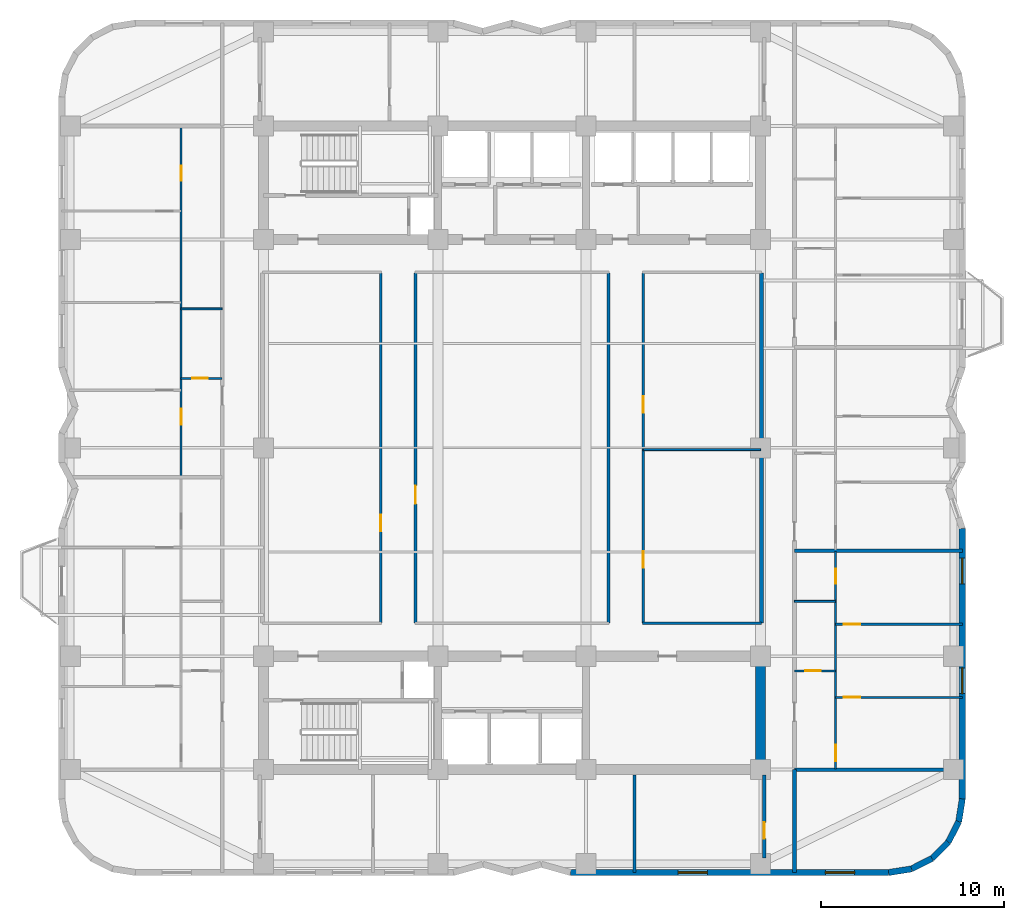
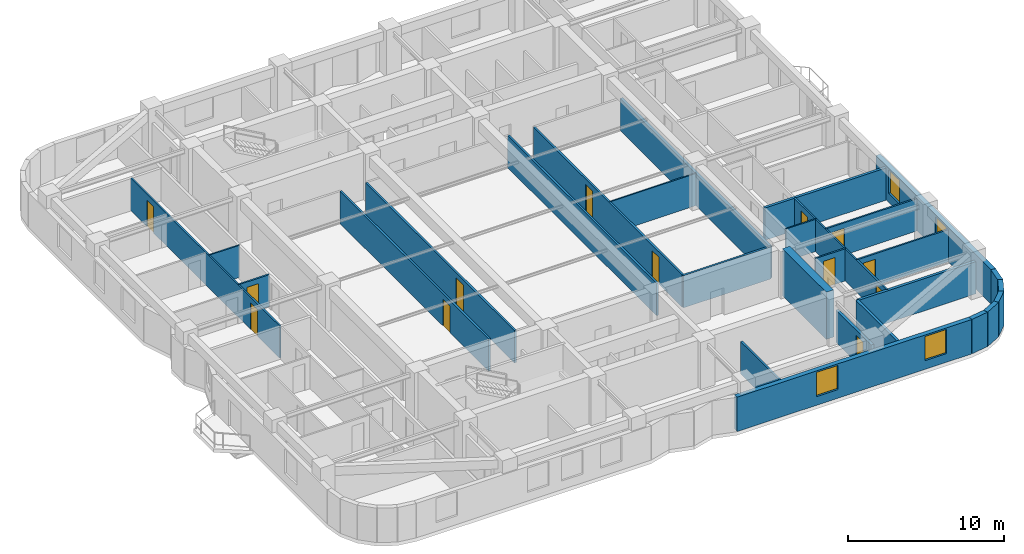
# One storey, part 4 of 9: 28 walls, 13 doors, 4 windows, 17 openings.
"""IFC4 building model written with IfcOpenShell, lengths in metres."""

import ifcopenshell
import ifcopenshell.guid

model = None  # the IFC model being written
_history = None  # IfcOwnerHistory: only IFC2X3 demands one
_inside = {}  # id of a spatial element -> (the spatial element, [elements in it])
_under = {}  # id of a project, library or spatial element -> (it, [spatial elements below it])
_declared = {}  # id of a project -> (the project, [libraries it declares])
_typed = {}  # id of a type object -> (the type object, [elements of that type])
_made_of = {}  # id of a material, layer set ... -> (it, [elements and type objects made of it])


def new_model(schema):
    """Start an empty IFC model of exactly this schema.

    Asked for "IFC4X3", IfcOpenShell would pick the latest addendum, in which some entities
    have other attributes; the version numbers below select the first issue.
    IFC2X3 requires an IfcOwnerHistory on every rooted entity: one is made here for all.
    """
    global model, _history
    if schema == "IFC4X3":
        model = ifcopenshell.file(schema_version=(4, 3, 0, 0))
    else:
        model = ifcopenshell.file(schema=schema)
    _inside.clear()
    _under.clear()
    _declared.clear()
    _typed.clear()
    _made_of.clear()
    _history = None
    if model.schema == "IFC2X3":
        org = make("IfcOrganization", Name="unknown")
        user = make(
            "IfcPersonAndOrganization",
            ThePerson=make("IfcPerson", FamilyName="unknown"),
            TheOrganization=org,
        )
        app = make(
            "IfcApplication",
            ApplicationDeveloper=org,
            Version="unknown",
            ApplicationFullName="unknown",
            ApplicationIdentifier="unknown",
        )
        _history = make(
            "IfcOwnerHistory",
            OwningUser=user,
            OwningApplication=app,
            ChangeAction="ADDED",
            CreationDate=0,
        )
    return model


def make(cls, **values):
    """One entity of the class cls with the attributes given. An attribute that is None is left unset."""
    return model.create_entity(
        cls, **{name: value for name, value in values.items() if value is not None}
    )


def rooted(cls, **values):
    """An entity with a GlobalId (a new one), such as an element, a storey or a relation."""
    return make(cls, GlobalId=ifcopenshell.guid.new(), OwnerHistory=_history, **values)


def si_unit(unit_type, name, prefix=None):
    """IfcSIUnit, for example si_unit("LENGTHUNIT", "METRE", prefix="MILLI")."""
    return make("IfcSIUnit", UnitType=unit_type, Prefix=prefix, Name=name)


def assignment(units):
    """IfcUnitAssignment: the units of a project."""
    return None if units is None else make("IfcUnitAssignment", Units=units)


def point(xyz):
    """IfcCartesianPoint."""
    return None if xyz is None else make("IfcCartesianPoint", Coordinates=xyz)


def direction(xyz):
    """IfcDirection."""
    return None if xyz is None else make("IfcDirection", DirectionRatios=xyz)


def frame(location, z_axis=None, x_axis=None):
    """IfcAxis2Placement3D, a coordinate frame: its origin and axes. An axis left out is left unset."""
    return make(
        "IfcAxis2Placement3D",
        Location=point(location),
        Axis=direction(z_axis),
        RefDirection=direction(x_axis),
    )


def frame_2d(location, x_axis=None):
    """IfcAxis2Placement2D, a coordinate frame in the plane: its origin and x axis."""
    return make(
        "IfcAxis2Placement2D", Location=point(location), RefDirection=direction(x_axis)
    )


def origin():
    """The frame at (0, 0, 0) with its axes left unset."""
    return frame((0.0, 0.0, 0.0))


def place(relative_to, where):
    """IfcLocalPlacement: puts the frame where relative to a parent placement (None: the world)."""
    return make(
        "IfcLocalPlacement", PlacementRelTo=relative_to, RelativePlacement=where
    )


def context(
    kind, dimensions, precision=None, world=None, true_north=None, identifier=None
):
    """IfcGeometricRepresentationContext, for example the 3D "Model" context."""
    return make(
        "IfcGeometricRepresentationContext",
        ContextIdentifier=identifier,
        ContextType=kind,
        CoordinateSpaceDimension=dimensions,
        Precision=precision,
        WorldCoordinateSystem=world,
        TrueNorth=true_north,
    )


def subcontext(parent, identifier, kind, view, scale=None):
    """IfcGeometricRepresentationSubContext, for example "Body" below "Model"."""
    return make(
        "IfcGeometricRepresentationSubContext",
        ContextIdentifier=identifier,
        ContextType=kind,
        ParentContext=parent,
        TargetScale=scale,
        TargetView=view,
    )


def project(units=None, contexts=None):
    """IfcProject with its units and contexts."""
    return rooted(
        "IfcProject",
        Name="project",
        RepresentationContexts=contexts,
        UnitsInContext=assignment(units),
    )


def spatial(cls, under=None, at=None, **own):
    """A site, building, storey or space (cls), placed at a placement, below another one or the project."""
    s = rooted(cls, ObjectPlacement=at, **own)
    if under is not None:
        _under.setdefault(under.id(), (under, []))[1].append(s)
    return s


def profile(cls, at=None, kind="AREA", **sizes):
    """A parametric profile (cls). Its sizes go by their IFC names, for example OverallWidth=200.0."""
    return make(cls, ProfileType=kind, Position=at, **sizes)


def rectangle(**sizes):
    """IfcRectangleProfileDef."""
    return profile("IfcRectangleProfileDef", **sizes)


def extrude(swept, where, along, depth):
    """IfcExtrudedAreaSolid: the profile swept, set in the frame where, extruded along a direction by depth."""
    return make(
        "IfcExtrudedAreaSolid",
        SweptArea=swept,
        Position=where,
        ExtrudedDirection=direction(along),
        Depth=depth,
    )


def shape(context_of_items, identifier, shape_type, items):
    """IfcShapeRepresentation: the items that make up one representation, for example the "Body"."""
    return make(
        "IfcShapeRepresentation",
        ContextOfItems=context_of_items,
        RepresentationIdentifier=identifier,
        RepresentationType=shape_type,
        Items=items,
    )


def material(Name=None, Category=None):
    """IfcMaterial."""
    return make("IfcMaterial", Name=Name, Category=Category)


def layer(
    of_material, thickness, ventilated=None, Name=None, Category=None, Priority=None
):
    """IfcMaterialLayer: one layer of a wall or slab, of a material (None: an air gap)."""
    return make(
        "IfcMaterialLayer",
        Material=of_material,
        LayerThickness=thickness,
        IsVentilated=ventilated,
        Name=Name,
        Category=Category,
        Priority=Priority,
    )


def layer_set(layers, Name=None):
    """IfcMaterialLayerSet."""
    return make("IfcMaterialLayerSet", MaterialLayers=layers, LayerSetName=Name)


def made_of(thing, what):
    """Note that an element or type object is made of a material, layer set ...; save() writes the relation."""
    if what is not None:
        _made_of.setdefault(what.id(), (what, []))[1].append(thing)
    return thing


def type_object(cls, material=None, **own):
    """A type object (cls), such as IfcWallType, which elements share."""
    return made_of(rooted(cls, **own), material)


def element(
    cls,
    number,
    at=None,
    inside=None,
    cuts=None,
    type_object=None,
    material=None,
    context=None,
    identifier="Body",
    shape_type=None,
    held_by="IfcProductDefinitionShape",
    body=None,
    shapes=None,
    **own,
):
    """One element of the class cls, such as IfcWall. Its Tag is "e" and its number.

    at: its placement. inside: the storey or other place that contains it. cuts: it is an
    opening in that element (IfcRelVoidsElement). A single representation is given by context,
    identifier, shape_type and body (its items); several are given by shapes. held_by: the class
    of the entity that holds the representations. save() writes the other relations.
    """
    e = rooted(cls, Tag="e%d" % number, ObjectPlacement=at, **own)
    if body is not None:
        shapes = [shape(context, identifier, shape_type, body)]
    if shapes is not None:
        e.Representation = make(held_by, Representations=shapes)
    if inside is not None:
        _inside.setdefault(inside.id(), (inside, []))[1].append(e)
    if cuts is not None:
        rooted(
            "IfcRelVoidsElement", RelatingBuildingElement=cuts, RelatedOpeningElement=e
        )
    if type_object is not None:
        _typed.setdefault(type_object.id(), (type_object, []))[1].append(e)
    return made_of(e, material)


def fill(opening, filler):
    """IfcRelFillsElement: the door or window that sits in an opening."""
    return rooted(
        "IfcRelFillsElement",
        RelatingOpeningElement=opening,
        RelatedBuildingElement=filler,
    )


def aggregate(whole, parts):
    """IfcRelAggregates: a whole, such as a stair, and the parts it consists of."""
    return rooted("IfcRelAggregates", RelatingObject=whole, RelatedObjects=parts)


def save(model, path):
    """Write the relations noted so far, then the file.

    IfcRelAggregates (storeys below a building ...), IfcRelContainedInSpatialStructure (elements
    in a storey), IfcRelDefinesByType, IfcRelAssociatesMaterial and IfcRelDeclares: one each for
    every whole, place, type object, material and project.
    """
    for whole, parts in _under.values():
        aggregate(whole, parts)
    for where, things in _inside.values():
        rooted(
            "IfcRelContainedInSpatialStructure",
            RelatedElements=things,
            RelatingStructure=where,
        )
    for kind, things in _typed.values():
        rooted("IfcRelDefinesByType", RelatedObjects=things, RelatingType=kind)
    for what, things in _made_of.values():
        rooted("IfcRelAssociatesMaterial", RelatedObjects=things, RelatingMaterial=what)
    for by, libraries in _declared.values():
        rooted("IfcRelDeclares", RelatingContext=by, RelatedDefinitions=libraries)
    model.write(path)


model = new_model("IFC4")

# Units and contexts
model_context = context("Model", 3, precision=1e-05, world=origin(), true_north=direction((0.0, 1.0)))
body_context = subcontext(model_context, "Body", "Model", "MODEL_VIEW")
ifc_project = project(units=[si_unit("LENGTHUNIT", "METRE"), si_unit("AREAUNIT", "SQUARE_METRE"), si_unit("VOLUMEUNIT", "CUBIC_METRE"), si_unit("PLANEANGLEUNIT", "RADIAN"), si_unit("MASSUNIT", "GRAM", prefix="KILO")], contexts=[model_context])

# Site, building, storey
site_placement = place(None, origin())
site = spatial("IfcSite", under=ifc_project, at=site_placement, CompositionType="ELEMENT")
building_placement = place(site_placement, origin())
building = spatial("IfcBuilding", under=site, at=building_placement, Name="Svetorya Sky Lyceum", CompositionType="ELEMENT")
storey_placement = place(building_placement, frame((0.0, 0.0, 125.300048828125)))
storey = spatial("IfcBuildingStorey", under=building, at=storey_placement, Name="L31", CompositionType="ELEMENT", Elevation=125.300048828125)

# Wall
ifc_material_1 = material(Name="Concrete C60/75", Category="concrete")
ifc_layer_1 = layer(ifc_material_1, 0.550048828125)
ifc_layer_set_1 = layer_set([ifc_layer_1], Name="Concrete C60/75")
wall_type_1 = type_object("IfcWallType", Name="WL-CORE-550", PredefinedType="SHEAR", material=ifc_layer_set_1)
wall_1_placement = place(storey_placement, frame((52.800048828125, 10.875, 0.0), z_axis=(0.0, 0.0, 1.0), x_axis=(0.0, 1.0, 0.0)))
element("IfcWall", 1, at=wall_1_placement, inside=storey, type_object=wall_type_1, Name="L31 SC East Core Shear Wall", PredefinedType="SHEAR", context=body_context, shape_type="SweptSolid", body=[
    extrude(rectangle(XDim=5.64990234375, YDim=0.550048828125, at=frame_2d((2.824951171875, 0.0))), origin(), (0.0, 0.0, 1.0), 3.699951171875),
])

# Wall, openings, windows
ifc_material_2 = material(Name="Putilovo limestone rainscreen on autoclaved cellular masonry", Category="masonry")
ifc_layer_2 = layer(ifc_material_2, 0.340087890625)
ifc_layer_set_2 = layer_set([ifc_layer_2], Name="Putilovo limestone rainscreen on autoclaved cellular masonry")
wall_type_2 = type_object("IfcWallType", Name="WL-EXT-340", PredefinedType="SOLIDWALL", material=ifc_layer_set_2)
wall_2_placement = place(storey_placement, frame((42.39990234375, 4.969970703125, 0.0), z_axis=(0.0, 0.0, 1.0), x_axis=(1.0, 0.0, 0.0)))
wall_2 = element("IfcWall", 2, at=wall_2_placement, inside=storey, type_object=wall_type_2, Name="L31 Limestone Exterior Wall 11M", PredefinedType="SOLIDWALL", context=body_context, shape_type="SweptSolid", body=[
    extrude(rectangle(XDim=17.400146484375, YDim=0.340087890625, at=frame_2d((8.7001953125, 0.0))), origin(), (0.0, 0.0, 1.0), 2.699951171875),
])
opening_1_placement = place(wall_2_placement, frame((5.887451171875, 0.0, 0.679931640625)))
opening_1 = element("IfcOpeningElement", 3, at=opening_1_placement, cuts=wall_2, Name="Opening W-R4", PredefinedType="OPENING", context=body_context, shape_type="SweptSolid", body=[
    extrude(rectangle(XDim=1.60009765625, YDim=1.89990234375, at=frame_2d((0.800048828125, 0.949951171875))), frame((0.0, 0.179931640625, 0.0), z_axis=(0.0, -1.0, 0.0), x_axis=(1.0, 0.0, 0.0)), (0.0, 0.0, 1.0), 0.360107421875),
])
opening_2_placement = place(wall_2_placement, frame((13.9375, 0.0, 0.679931640625)))
opening_2 = element("IfcOpeningElement", 4, at=opening_2_placement, cuts=wall_2, Name="Opening W-R4", PredefinedType="OPENING", context=body_context, shape_type="SweptSolid", body=[
    extrude(rectangle(XDim=1.60009765625, YDim=1.89990234375, at=frame_2d((0.800048828125, 0.949951171875))), frame((0.0, 0.179931640625, 0.0), z_axis=(0.0, -1.0, 0.0), x_axis=(1.0, 0.0, 0.0)), (0.0, 0.0, 1.0), 0.360107421875),
])
ifc_material_3 = material(Name="Thermally broken aluminium frame with triple low-E glazing", Category="aluminium")
window_type_1 = type_object("IfcWindowType", Name="WN-RES-160", PartitioningType="DOUBLE_PANEL_VERTICAL", PredefinedType="WINDOW", material=ifc_material_3)
window_1_placement = place(opening_1_placement, origin())
window_1 = element("IfcWindow", 5, at=window_1_placement, inside=storey, type_object=window_type_1, Name="L31 Facade Window W-R4.11M.1", OverallHeight=1.89990234375, OverallWidth=1.60009765625, PartitioningType="SINGLE_PANEL", PredefinedType="WINDOW", context=body_context, shape_type="SweptSolid", body=[
    extrude(rectangle(XDim=1.60009765625, YDim=1.89990234375, at=frame_2d((0.800048828125, 0.949951171875))), frame((0.0, 0.030029296875, 0.0), z_axis=(0.0, -1.0, 0.0), x_axis=(1.0, 0.0, 0.0)), (0.0, 0.0, 1.0), 0.06005859375),
])
fill(opening_1, window_1)
window_2_placement = place(opening_2_placement, origin())
window_2 = element("IfcWindow", 6, at=window_2_placement, inside=storey, type_object=window_type_1, Name="L31 Facade Window W-R4.11M.2", OverallHeight=1.89990234375, OverallWidth=1.60009765625, PartitioningType="SINGLE_PANEL", PredefinedType="WINDOW", context=body_context, shape_type="SweptSolid", body=[
    extrude(rectangle(XDim=1.60009765625, YDim=1.89990234375, at=frame_2d((0.800048828125, 0.949951171875))), frame((0.0, 0.030029296875, 0.0), z_axis=(0.0, -1.0, 0.0), x_axis=(1.0, 0.0, 0.0)), (0.0, 0.0, 1.0), 0.06005859375),
])
fill(opening_2, window_2)

# Walls
wall_3_placement = place(storey_placement, frame((59.800048828125, 4.969970703125, 0.0), z_axis=(0.0, 0.0, 1.0), x_axis=(0.987685918112, 0.15644975923, 0.0)))
element("IfcWall", 7, at=wall_3_placement, inside=storey, type_object=wall_type_2, Name="L31 Limestone Exterior Wall 12M", PredefinedType="SOLIDWALL", context=body_context, shape_type="SweptSolid", body=[
    extrude(rectangle(XDim=1.260986328125, YDim=0.340087890625, at=frame_2d((0.63037109375, 0.0))), origin(), (0.0, 0.0, 1.0), 2.699951171875),
])
for number, where, z_axis, x_axis, name in (
    (8, (61.04541015625, 5.167236328125, 0.0), (0.0, 0.0, 1.0), (0.890953769915, 0.454094020963, 0.0), "L31 Limestone Exterior Wall 13M"),
    (9, (62.168701171875, 5.73974609375, 0.0), (0.0, 0.0, 1.0), (0.707203598708, 0.707009950407, 0.0), "L31 Limestone Exterior Wall 14M"),
):
    element("IfcWall", number, at=place(storey_placement, frame(where, z_axis=z_axis, x_axis=x_axis)), inside=storey, type_object=wall_type_2, Name=name, PredefinedType="SOLIDWALL", context=body_context, shape_type="SweptSolid", body=[
        extrude(rectangle(XDim=1.2607421875, YDim=0.340087890625, at=frame_2d((0.63037109375, 0.0))), origin(), (0.0, 0.0, 1.0), 2.699951171875),
    ])
for number, where, z_axis, x_axis, name in (
    (10, (63.060302734375, 6.631103515625, 0.0), (0.0, 0.0, 1.0), (0.454015689056, 0.890993689142, 0.0), "L31 Limestone Exterior Wall 15M"),
    (11, (63.6328125, 7.754638671875, 0.0), (0.0, 0.0, 1.0), (0.15644975923, 0.987685918112, 0.0), "L31 Limestone Exterior Wall 16M"),
):
    element("IfcWall", number, at=place(storey_placement, frame(where, z_axis=z_axis, x_axis=x_axis)), inside=storey, type_object=wall_type_2, Name=name, PredefinedType="SOLIDWALL", context=body_context, shape_type="SweptSolid", body=[
        extrude(rectangle(XDim=1.260986328125, YDim=0.340087890625, at=frame_2d((0.63037109375, 0.0))), origin(), (0.0, 0.0, 1.0), 2.699951171875),
    ])

# Wall, openings, windows
wall_4_placement = place(storey_placement, frame((63.830078125, 9.0, 0.0), z_axis=(0.0, 0.0, 1.0), x_axis=(0.0, 1.0, 0.0)))
wall_4 = element("IfcWall", 12, at=wall_4_placement, inside=storey, type_object=wall_type_2, Name="L31 Limestone Exterior Wall 17M", PredefinedType="SOLIDWALL", context=body_context, shape_type="SweptSolid", body=[
    extrude(rectangle(XDim=14.800048828125, YDim=0.340087890625, at=frame_2d((7.39990234375, 0.0))), origin(), (0.0, 0.0, 1.0), 2.699951171875),
])
opening_3_placement = place(wall_4_placement, frame((5.760009765625, 0.0, 0.68994140625)))
opening_3 = element("IfcOpeningElement", 13, at=opening_3_placement, cuts=wall_4, Name="Opening W-R2", PredefinedType="OPENING", context=body_context, shape_type="SweptSolid", body=[
    extrude(rectangle(XDim=1.39990234375, YDim=1.85009765625, at=frame_2d((0.699951171875, 0.925048828125))), frame((0.0, 0.179931640625, 0.0), z_axis=(0.0, -1.0, 0.0), x_axis=(1.0, 0.0, 0.0)), (0.0, 0.0, 1.0), 0.360107421875),
])
opening_4_placement = place(wall_4_placement, frame((11.762451171875, 0.0, 0.72998046875)))
opening_4 = element("IfcOpeningElement", 14, at=opening_4_placement, cuts=wall_4, Name="Opening W-R2", PredefinedType="OPENING", context=body_context, shape_type="SweptSolid", body=[
    extrude(rectangle(XDim=1.39990234375, YDim=1.85009765625, at=frame_2d((0.699951171875, 0.925048828125))), frame((0.0, 0.179931640625, 0.0), z_axis=(0.0, -1.0, 0.0), x_axis=(1.0, 0.0, 0.0)), (0.0, 0.0, 1.0), 0.360107421875),
])
window_type_2 = type_object("IfcWindowType", Name="WN-RES-140", PartitioningType="SINGLE_PANEL", PredefinedType="WINDOW", material=ifc_material_3)
window_3_placement = place(opening_3_placement, origin())
window_3 = element("IfcWindow", 15, at=window_3_placement, inside=storey, type_object=window_type_2, Name="L31 Facade Window W-R2.17M.2", OverallHeight=1.85009765625, OverallWidth=1.39990234375, PartitioningType="SINGLE_PANEL", PredefinedType="WINDOW", context=body_context, shape_type="SweptSolid", body=[
    extrude(rectangle(XDim=1.39990234375, YDim=1.85009765625, at=frame_2d((0.699951171875, 0.925048828125))), frame((0.0, 0.030029296875, 0.0), z_axis=(0.0, -1.0, 0.0), x_axis=(1.0, 0.0, 0.0)), (0.0, 0.0, 1.0), 0.06005859375),
])
fill(opening_3, window_3)
window_4_placement = place(opening_4_placement, origin())
window_4 = element("IfcWindow", 16, at=window_4_placement, inside=storey, type_object=window_type_2, Name="L31 Facade Window W-R2.17M.1", OverallHeight=1.85009765625, OverallWidth=1.39990234375, PartitioningType="SINGLE_PANEL", PredefinedType="WINDOW", context=body_context, shape_type="SweptSolid", body=[
    extrude(rectangle(XDim=1.39990234375, YDim=1.85009765625, at=frame_2d((0.699951171875, 0.925048828125))), frame((0.0, 0.030029296875, 0.0), z_axis=(0.0, -1.0, 0.0), x_axis=(1.0, 0.0, 0.0)), (0.0, 0.0, 1.0), 0.06005859375),
])
fill(opening_4, window_4)

# Walls
ifc_material_4 = material(Name="Galvanized stud partition with moisture-resistant board", Category="gypsum")
ifc_layer_3 = layer(ifc_material_4, 0.10009765625)
ifc_layer_set_3 = layer_set([ifc_layer_3], Name="Galvanized stud partition with moisture-resistant board")
wall_type_3 = type_object("IfcWallType", Name="WL-PART-100", PredefinedType="PARTITIONING", material=ifc_layer_set_3)
wall_5_placement = place(storey_placement, frame((46.3798828125, 28.10009765625, 0.0), z_axis=(0.0, 0.0, 1.0), x_axis=(1.0, 0.0, 0.0)))
element("IfcWall", 17, at=wall_5_placement, inside=storey, type_object=wall_type_3, Name="L31 Interior Partition ISL-HMID", PredefinedType="PARTITIONING", context=body_context, shape_type="SweptSolid", body=[
    extrude(rectangle(XDim=6.420166015625, YDim=0.10009765625, at=frame_2d((3.2099609375, 0.0))), origin(), (0.0, 0.0, 1.0), 2.530029296875),
])
for number, where, z_axis, x_axis, name in (
    (18, (21.10009765625, 35.800048828125, 0.0), (0.0, 0.0, 1.0), (1.0, 0.0, 0.0), "L31 Interior Partition W2-WH2"),
    (19, (54.64990234375, 19.800048828125, 0.0), (0.0, 0.0, 1.0), (1.0, 0.0, 0.0), "L31 Interior Partition E1-WH2"),
):
    element("IfcWall", number, at=place(storey_placement, frame(where, z_axis=z_axis, x_axis=x_axis)), inside=storey, type_object=wall_type_3, Name=name, PredefinedType="PARTITIONING", context=body_context, shape_type="SweptSolid", body=[
        extrude(rectangle(XDim=2.25, YDim=0.10009765625, at=frame_2d((1.125, 0.0))), origin(), (0.0, 0.0, 1.0), 2.530029296875),
    ])

# Wall, opening, door
ifc_material_5 = material(Name="Twin-stud galvanized framing with double fireboard", Category="gypsum")
ifc_layer_4 = layer(ifc_material_5, 0.1201171875)
ifc_layer_set_4 = layer_set([ifc_layer_4], Name="Twin-stud galvanized framing with double fireboard")
wall_type_4 = type_object("IfcWallType", Name="WL-PART-120", PredefinedType="PARTITIONING", material=ifc_layer_set_4)
wall_6_placement = place(storey_placement, frame((21.10009765625, 32.0, 0.0), z_axis=(0.0, 0.0, 1.0), x_axis=(1.0, 0.0, 0.0)))
wall_6 = element("IfcWall", 20, at=wall_6_placement, inside=storey, type_object=wall_type_4, Name="L31 Interior Partition W2-WH1", PredefinedType="PARTITIONING", context=body_context, shape_type="SweptSolid", body=[
    extrude(rectangle(XDim=2.25, YDim=0.1201171875, at=frame_2d((1.125, 0.0))), origin(), (0.0, 0.0, 1.0), 2.530029296875),
])
opening_5_placement = place(wall_6_placement, frame((0.60009765625, 0.0, 0.0)))
opening_5 = element("IfcOpeningElement", 21, at=opening_5_placement, cuts=wall_6, Name="Opening D-BT1", PredefinedType="OPENING", context=body_context, shape_type="SweptSolid", body=[
    extrude(rectangle(XDim=0.85009765625, YDim=2.10009765625, at=frame_2d((0.425048828125, 1.050048828125))), frame((0.0, 0.070068359375, 0.0), z_axis=(0.0, -1.0, 0.0), x_axis=(1.0, 0.0, 0.0)), (0.0, 0.0, 1.0), 0.14013671875),
])
ifc_material_6 = material(Name="Moisture-resistant laminate bathroom door")
door_type_1 = type_object("IfcDoorType", Name="DR-WET-850", OperationType="SINGLE_SWING_LEFT", PredefinedType="DOOR", material=ifc_material_6)
door_1_placement = place(opening_5_placement, origin())
door_1 = element("IfcDoor", 22, at=door_1_placement, inside=storey, type_object=door_type_1, Name="Apartment W2 Bathroom Door", OperationType="SINGLE_SWING_RIGHT", OverallHeight=2.10009765625, OverallWidth=0.85009765625, PredefinedType="DOOR", context=body_context, shape_type="SweptSolid", body=[
    extrude(rectangle(XDim=0.85009765625, YDim=2.10009765625, at=frame_2d((0.425048828125, 1.050048828125))), frame((0.0, 0.02490234375, 0.0), z_axis=(0.0, -1.0, 0.0), x_axis=(1.0, 0.0, 0.0)), (0.0, 0.0, 1.0), 0.050048828125),
])
fill(opening_5, door_1)

# Wall, openings, doors
wall_7_placement = place(storey_placement, frame((21.10009765625, 26.639892578125, 0.0), z_axis=(0.0, 0.0, 1.0), x_axis=(0.0, 1.0, 0.0)))
wall_7 = element("IfcWall", 23, at=wall_7_placement, inside=storey, type_object=wall_type_4, Name="L31 Interior Partition W2-WV", PredefinedType="PARTITIONING", context=body_context, shape_type="SweptSolid", body=[
    extrude(rectangle(XDim=19.1201171875, YDim=0.1201171875, at=frame_2d((9.56005859375, 0.0))), origin(), (0.0, 0.0, 1.0), 2.530029296875),
])
opening_6_placement = place(wall_7_placement, frame((2.81005859375, 0.0, 0.0)))
opening_6 = element("IfcOpeningElement", 24, at=opening_6_placement, cuts=wall_7, Name="Opening D-RM1", PredefinedType="OPENING", context=body_context, shape_type="SweptSolid", body=[
    extrude(rectangle(XDim=0.89990234375, YDim=2.10009765625, at=frame_2d((0.449951171875, 1.050048828125))), frame((0.0, 0.070068359375, 0.0), z_axis=(0.0, -1.0, 0.0), x_axis=(1.0, 0.0, 0.0)), (0.0, 0.0, 1.0), 0.14013671875),
])
opening_7_placement = place(wall_7_placement, frame((16.179931640625, 0.0, 0.0)))
opening_7 = element("IfcOpeningElement", 25, at=opening_7_placement, cuts=wall_7, Name="Opening D-BT2", PredefinedType="OPENING", context=body_context, shape_type="SweptSolid", body=[
    extrude(rectangle(XDim=0.820068359375, YDim=2.080078125, at=frame_2d((0.41015625, 1.0400390625))), frame((0.0, 0.070068359375, 0.0), z_axis=(0.0, -1.0, 0.0), x_axis=(1.0, 0.0, 0.0)), (0.0, 0.0, 1.0), 0.14013671875),
])
ifc_material_7 = material(Name="Lacquered birch veneer internal door")
door_type_2 = type_object("IfcDoorType", Name="DR-INT-900", OperationType="SINGLE_SWING_LEFT", PredefinedType="DOOR", material=ifc_material_7)
door_2_placement = place(opening_6_placement, origin())
door_2 = element("IfcDoor", 26, at=door_2_placement, inside=storey, type_object=door_type_2, Name="Apartment W2 Living Door", OperationType="SINGLE_SWING_LEFT", OverallHeight=2.10009765625, OverallWidth=0.89990234375, PredefinedType="DOOR", context=body_context, shape_type="SweptSolid", body=[
    extrude(rectangle(XDim=0.89990234375, YDim=2.10009765625, at=frame_2d((0.449951171875, 1.050048828125))), frame((0.0, 0.02490234375, 0.0), z_axis=(0.0, -1.0, 0.0), x_axis=(1.0, 0.0, 0.0)), (0.0, 0.0, 1.0), 0.050048828125),
])
fill(opening_6, door_2)
ifc_material_8 = material(Name="Compact moisture-resistant laminate closet door")
door_type_3 = type_object("IfcDoorType", Name="DR-WET-820", OperationType="SINGLE_SWING_LEFT", PredefinedType="DOOR", material=ifc_material_8)
door_3_placement = place(opening_7_placement, origin())
door_3 = element("IfcDoor", 27, at=door_3_placement, inside=storey, type_object=door_type_3, Name="Apartment W2 Study Door", OperationType="SINGLE_SWING_RIGHT", OverallHeight=2.080078125, OverallWidth=0.820068359375, PredefinedType="DOOR", context=body_context, shape_type="SweptSolid", body=[
    extrude(rectangle(XDim=0.820068359375, YDim=2.080078125, at=frame_2d((0.41015625, 1.0400390625))), frame((0.0, 0.02490234375, 0.0), z_axis=(0.0, -1.0, 0.0), x_axis=(1.0, 0.0, 0.0)), (0.0, 0.0, 1.0), 0.050048828125),
])
fill(opening_7, door_3)

# Wall, opening, door
wall_8_placement = place(storey_placement, frame((54.64990234375, 16.0, 0.0), z_axis=(0.0, 0.0, 1.0), x_axis=(1.0, 0.0, 0.0)))
wall_8 = element("IfcWall", 28, at=wall_8_placement, inside=storey, type_object=wall_type_4, Name="L31 Interior Partition E1-WH1", PredefinedType="PARTITIONING", context=body_context, shape_type="SweptSolid", body=[
    extrude(rectangle(XDim=2.25, YDim=0.1201171875, at=frame_2d((1.125, 0.0))), origin(), (0.0, 0.0, 1.0), 2.530029296875),
])
opening_8_placement = place(wall_8_placement, frame((0.60009765625, 0.0, 0.0)))
opening_8 = element("IfcOpeningElement", 29, at=opening_8_placement, cuts=wall_8, Name="Opening D-BT1", PredefinedType="OPENING", context=body_context, shape_type="SweptSolid", body=[
    extrude(rectangle(XDim=0.85009765625, YDim=2.10009765625, at=frame_2d((0.425048828125, 1.050048828125))), frame((0.0, 0.070068359375, 0.0), z_axis=(0.0, -1.0, 0.0), x_axis=(1.0, 0.0, 0.0)), (0.0, 0.0, 1.0), 0.14013671875),
])
door_4_placement = place(opening_8_placement, origin())
door_4 = element("IfcDoor", 30, at=door_4_placement, inside=storey, type_object=door_type_1, Name="Apartment E1 Bathroom Door", OperationType="SINGLE_SWING_RIGHT", OverallHeight=2.10009765625, OverallWidth=0.85009765625, PredefinedType="DOOR", context=body_context, shape_type="SweptSolid", body=[
    extrude(rectangle(XDim=0.85009765625, YDim=2.10009765625, at=frame_2d((0.425048828125, 1.050048828125))), frame((0.0, 0.02490234375, 0.0), z_axis=(0.0, -1.0, 0.0), x_axis=(1.0, 0.0, 0.0)), (0.0, 0.0, 1.0), 0.050048828125),
])
fill(opening_8, door_4)

wall_9_placement = place(storey_placement, frame((56.89990234375, 14.550048828125, 0.0), z_axis=(0.0, 0.0, 1.0), x_axis=(1.0, 0.0, 0.0)))
wall_9 = element("IfcWall", 31, at=wall_9_placement, inside=storey, type_object=wall_type_4, Name="L31 Interior Partition E1-WL1", PredefinedType="PARTITIONING", context=body_context, shape_type="SweptSolid", body=[
    extrude(rectangle(XDim=6.93017578125, YDim=0.1201171875, at=frame_2d((3.465087890625, 0.0))), origin(), (0.0, 0.0, 1.0), 2.530029296875),
])
opening_9_placement = place(wall_9_placement, frame((0.449951171875, 0.0, 0.0)))
opening_9 = element("IfcOpeningElement", 32, at=opening_9_placement, cuts=wall_9, Name="Opening D-RM1", PredefinedType="OPENING", context=body_context, shape_type="SweptSolid", body=[
    extrude(rectangle(XDim=0.89990234375, YDim=2.10009765625, at=frame_2d((0.449951171875, 1.050048828125))), frame((0.0, 0.070068359375, 0.0), z_axis=(0.0, -1.0, 0.0), x_axis=(1.0, 0.0, 0.0)), (0.0, 0.0, 1.0), 0.14013671875),
])
door_5_placement = place(opening_9_placement, origin())
door_5 = element("IfcDoor", 33, at=door_5_placement, inside=storey, type_object=door_type_2, Name="Apartment E1 Master Bedroom Door", OperationType="SINGLE_SWING_RIGHT", OverallHeight=2.10009765625, OverallWidth=0.89990234375, PredefinedType="DOOR", context=body_context, shape_type="SweptSolid", body=[
    extrude(rectangle(XDim=0.89990234375, YDim=2.10009765625, at=frame_2d((0.449951171875, 1.050048828125))), frame((0.0, 0.02490234375, 0.0), z_axis=(0.0, -1.0, 0.0), x_axis=(1.0, 0.0, 0.0)), (0.0, 0.0, 1.0), 0.050048828125),
])
fill(opening_9, door_5)

wall_10_placement = place(storey_placement, frame((56.89990234375, 18.550048828125, 0.0), z_axis=(0.0, 0.0, 1.0), x_axis=(1.0, 0.0, 0.0)))
wall_10 = element("IfcWall", 34, at=wall_10_placement, inside=storey, type_object=wall_type_4, Name="L31 Interior Partition E1-WL2", PredefinedType="PARTITIONING", context=body_context, shape_type="SweptSolid", body=[
    extrude(rectangle(XDim=6.93017578125, YDim=0.1201171875, at=frame_2d((3.465087890625, 0.0))), origin(), (0.0, 0.0, 1.0), 2.530029296875),
])
opening_10_placement = place(wall_10_placement, frame((0.449951171875, 0.0, 0.0)))
opening_10 = element("IfcOpeningElement", 35, at=opening_10_placement, cuts=wall_10, Name="Opening D-RM1", PredefinedType="OPENING", context=body_context, shape_type="SweptSolid", body=[
    extrude(rectangle(XDim=0.89990234375, YDim=2.10009765625, at=frame_2d((0.449951171875, 1.050048828125))), frame((0.0, 0.070068359375, 0.0), z_axis=(0.0, -1.0, 0.0), x_axis=(1.0, 0.0, 0.0)), (0.0, 0.0, 1.0), 0.14013671875),
])
door_6_placement = place(opening_10_placement, origin())
door_6 = element("IfcDoor", 36, at=door_6_placement, inside=storey, type_object=door_type_2, Name="Apartment E1 Bedroom 2 Door", OperationType="SINGLE_SWING_LEFT", OverallHeight=2.10009765625, OverallWidth=0.89990234375, PredefinedType="DOOR", context=body_context, shape_type="SweptSolid", body=[
    extrude(rectangle(XDim=0.89990234375, YDim=2.10009765625, at=frame_2d((0.449951171875, 1.050048828125))), frame((0.0, 0.02490234375, 0.0), z_axis=(0.0, -1.0, 0.0), x_axis=(1.0, 0.0, 0.0)), (0.0, 0.0, 1.0), 0.050048828125),
])
fill(opening_10, door_6)

# Wall, openings, doors
wall_11_placement = place(storey_placement, frame((56.89990234375, 10.639892578125, 0.0), z_axis=(0.0, 0.0, 1.0), x_axis=(0.0, 1.0, 0.0)))
wall_11 = element("IfcWall", 37, at=wall_11_placement, inside=storey, type_object=wall_type_4, Name="L31 Interior Partition E1-WV", PredefinedType="PARTITIONING", context=body_context, shape_type="SweptSolid", body=[
    extrude(rectangle(XDim=11.88818359375, YDim=0.1201171875, at=frame_2d((5.944091796875, 0.0))), origin(), (0.0, 0.0, 1.0), 2.530029296875),
])
opening_11_placement = place(wall_11_placement, frame((0.409912109375, 0.0, 0.0)))
opening_11 = element("IfcOpeningElement", 38, at=opening_11_placement, cuts=wall_11, Name="Opening D-RM1", PredefinedType="OPENING", context=body_context, shape_type="SweptSolid", body=[
    extrude(rectangle(XDim=0.89990234375, YDim=2.10009765625, at=frame_2d((0.449951171875, 1.050048828125))), frame((0.0, 0.070068359375, 0.0), z_axis=(0.0, -1.0, 0.0), x_axis=(1.0, 0.0, 0.0)), (0.0, 0.0, 1.0), 0.14013671875),
])
opening_12_placement = place(wall_11_placement, frame((10.118896484375, 0.0, 0.0)))
opening_12 = element("IfcOpeningElement", 39, at=opening_12_placement, cuts=wall_11, Name="Opening D-BT2", PredefinedType="OPENING", context=body_context, shape_type="SweptSolid", body=[
    extrude(rectangle(XDim=0.820068359375, YDim=2.080078125, at=frame_2d((0.41015625, 1.0400390625))), frame((0.0, 0.070068359375, 0.0), z_axis=(0.0, -1.0, 0.0), x_axis=(1.0, 0.0, 0.0)), (0.0, 0.0, 1.0), 0.14013671875),
])
door_7_placement = place(opening_11_placement, origin())
door_7 = element("IfcDoor", 40, at=door_7_placement, inside=storey, type_object=door_type_2, Name="Apartment E1 Living Door", OperationType="SINGLE_SWING_LEFT", OverallHeight=2.10009765625, OverallWidth=0.89990234375, PredefinedType="DOOR", context=body_context, shape_type="SweptSolid", body=[
    extrude(rectangle(XDim=0.89990234375, YDim=2.10009765625, at=frame_2d((0.449951171875, 1.050048828125))), frame((0.0, 0.02490234375, 0.0), z_axis=(0.0, -1.0, 0.0), x_axis=(1.0, 0.0, 0.0)), (0.0, 0.0, 1.0), 0.050048828125),
])
fill(opening_11, door_7)
door_8_placement = place(opening_12_placement, origin())
door_8 = element("IfcDoor", 41, at=door_8_placement, inside=storey, type_object=door_type_3, Name="Apartment E1 Study Door", OperationType="SINGLE_SWING_RIGHT", OverallHeight=2.080078125, OverallWidth=0.820068359375, PredefinedType="DOOR", context=body_context, shape_type="SweptSolid", body=[
    extrude(rectangle(XDim=0.820068359375, YDim=2.080078125, at=frame_2d((0.41015625, 1.0400390625))), frame((0.0, 0.02490234375, 0.0), z_axis=(0.0, -1.0, 0.0), x_axis=(1.0, 0.0, 0.0)), (0.0, 0.0, 1.0), 0.050048828125),
])
fill(opening_12, door_8)

# Wall
ifc_material_9 = material(Name="Autoclaved cellular masonry blockwork with acoustic render", Category="masonry")
ifc_layer_5 = layer(ifc_material_9, 0.14990234375)
ifc_layer_set_5 = layer_set([ifc_layer_5], Name="Autoclaved cellular masonry blockwork with acoustic render")
wall_type_5 = type_object("IfcWallType", Name="WL-PART-150", PredefinedType="PARTITIONING", material=ifc_layer_set_5)
wall_12_placement = place(storey_placement, frame((46.35009765625, 18.60009765625, 0.0), z_axis=(0.0, 0.0, 1.0), x_axis=(1.0, 0.0, 0.0)))
element("IfcWall", 42, at=wall_12_placement, inside=storey, type_object=wall_type_5, Name="L31 Interior Partition RL-CS-E", PredefinedType="PARTITIONING", context=body_context, shape_type="SweptSolid", body=[
    extrude(rectangle(XDim=6.5, YDim=0.14990234375, at=frame_2d((3.25, 0.0))), origin(), (0.0, 0.0, 1.0), 2.530029296875),
])

# Wall, opening, door
wall_13_placement = place(storey_placement, frame((32.02001953125, 18.6298828125, 0.0), z_axis=(0.0, 0.0, 1.0), x_axis=(0.0, 1.0, 0.0)))
wall_13 = element("IfcWall", 43, at=wall_13_placement, inside=storey, type_object=wall_type_5, Name="L31 Interior Partition ISL-WW", PredefinedType="PARTITIONING", context=body_context, shape_type="SweptSolid", body=[
    extrude(rectangle(XDim=19.14013671875, YDim=0.14990234375, at=frame_2d((9.570068359375, 0.0))), origin(), (0.0, 0.0, 1.0), 2.530029296875),
])
opening_13_placement = place(wall_13_placement, frame((5.0, 0.0, 0.0)))
opening_13 = element("IfcOpeningElement", 44, at=opening_13_placement, cuts=wall_13, Name="Opening D-RM1", PredefinedType="OPENING", context=body_context, shape_type="SweptSolid", body=[
    extrude(rectangle(XDim=0.89990234375, YDim=2.10009765625, at=frame_2d((0.449951171875, 1.050048828125))), frame((0.0, 0.0849609375, 0.0), z_axis=(0.0, -1.0, 0.0), x_axis=(1.0, 0.0, 0.0)), (0.0, 0.0, 1.0), 0.169921875),
])
door_9_placement = place(opening_13_placement, origin())
door_9 = element("IfcDoor", 45, at=door_9_placement, inside=storey, type_object=door_type_2, Name="L31 Atelier Door", OperationType="SINGLE_SWING_RIGHT", OverallHeight=2.10009765625, OverallWidth=0.89990234375, PredefinedType="DOOR", context=body_context, shape_type="SweptSolid", body=[
    extrude(rectangle(XDim=0.89990234375, YDim=2.10009765625, at=frame_2d((0.449951171875, 1.050048828125))), frame((0.0, 0.02490234375, 0.0), z_axis=(0.0, -1.0, 0.0), x_axis=(1.0, 0.0, 0.0)), (0.0, 0.0, 1.0), 0.050048828125),
])
fill(opening_13, door_9)

wall_14_placement = place(storey_placement, frame((33.919921875, 18.6298828125, 0.0), z_axis=(0.0, 0.0, 1.0), x_axis=(0.0, 1.0, 0.0)))
wall_14 = element("IfcWall", 46, at=wall_14_placement, inside=storey, type_object=wall_type_5, Name="L31 Interior Partition ISL-WE", PredefinedType="PARTITIONING", context=body_context, shape_type="SweptSolid", body=[
    extrude(rectangle(XDim=19.14013671875, YDim=0.14990234375, at=frame_2d((9.570068359375, 0.0))), origin(), (0.0, 0.0, 1.0), 2.530029296875),
])
opening_14_placement = place(wall_14_placement, frame((6.5, 0.0, 0.0)))
opening_14 = element("IfcOpeningElement", 47, at=opening_14_placement, cuts=wall_14, Name="Opening D-RM2", PredefinedType="OPENING", context=body_context, shape_type="SweptSolid", body=[
    extrude(rectangle(XDim=1.0, YDim=2.14990234375, at=frame_2d((0.5, 1.074951171875))), frame((0.0, 0.0849609375, 0.0), z_axis=(0.0, -1.0, 0.0), x_axis=(1.0, 0.0, 0.0)), (0.0, 0.0, 1.0), 0.169921875),
])
ifc_material_10 = material(Name="Solid-core oak acoustic room door")
door_type_4 = type_object("IfcDoorType", Name="DR-INT-1000", OperationType="SINGLE_SWING_LEFT", PredefinedType="DOOR", material=ifc_material_10)
door_10_placement = place(opening_14_placement, origin())
door_10 = element("IfcDoor", 48, at=door_10_placement, inside=storey, type_object=door_type_4, Name="L31 Wellness Door", OperationType="SINGLE_SWING_LEFT", OverallHeight=2.14990234375, OverallWidth=1.0, PredefinedType="DOOR", context=body_context, shape_type="SweptSolid", body=[
    extrude(rectangle(XDim=1.0, YDim=2.14990234375, at=frame_2d((0.5, 1.074951171875))), frame((0.0, 0.02490234375, 0.0), z_axis=(0.0, -1.0, 0.0), x_axis=(1.0, 0.0, 0.0)), (0.0, 0.0, 1.0), 0.050048828125),
])
fill(opening_14, door_10)

# Wall
wall_15_placement = place(storey_placement, frame((44.47998046875, 18.6298828125, 0.0), z_axis=(0.0, 0.0, 1.0), x_axis=(0.0, 1.0, 0.0)))
element("IfcWall", 49, at=wall_15_placement, inside=storey, type_object=wall_type_5, Name="L31 Interior Partition ISL-EW", PredefinedType="PARTITIONING", context=body_context, shape_type="SweptSolid", body=[
    extrude(rectangle(XDim=19.14013671875, YDim=0.14990234375, at=frame_2d((9.570068359375, 0.0))), origin(), (0.0, 0.0, 1.0), 2.530029296875),
])

# Wall, openings, doors
wall_16_placement = place(storey_placement, frame((46.3798828125, 18.6298828125, 0.0), z_axis=(0.0, 0.0, 1.0), x_axis=(0.0, 1.0, 0.0)))
wall_16 = element("IfcWall", 50, at=wall_16_placement, inside=storey, type_object=wall_type_5, Name="L31 Interior Partition ISL-EE", PredefinedType="PARTITIONING", context=body_context, shape_type="SweptSolid", body=[
    extrude(rectangle(XDim=19.14013671875, YDim=0.14990234375, at=frame_2d((9.570068359375, 0.0))), origin(), (0.0, 0.0, 1.0), 2.530029296875),
])
opening_15_placement = place(wall_16_placement, frame((3.0, 0.0, 0.0)))
opening_15 = element("IfcOpeningElement", 51, at=opening_15_placement, cuts=wall_16, Name="Opening D-RM1", PredefinedType="OPENING", context=body_context, shape_type="SweptSolid", body=[
    extrude(rectangle(XDim=0.89990234375, YDim=2.10009765625, at=frame_2d((0.449951171875, 1.050048828125))), frame((0.0, 0.0849609375, 0.0), z_axis=(0.0, -1.0, 0.0), x_axis=(1.0, 0.0, 0.0)), (0.0, 0.0, 1.0), 0.169921875),
])
opening_16_placement = place(wall_16_placement, frame((11.5, 0.0, 0.0)))
opening_16 = element("IfcOpeningElement", 52, at=opening_16_placement, cuts=wall_16, Name="Opening D-RM1", PredefinedType="OPENING", context=body_context, shape_type="SweptSolid", body=[
    extrude(rectangle(XDim=0.89990234375, YDim=2.10009765625, at=frame_2d((0.449951171875, 1.050048828125))), frame((0.0, 0.0849609375, 0.0), z_axis=(0.0, -1.0, 0.0), x_axis=(1.0, 0.0, 0.0)), (0.0, 0.0, 1.0), 0.169921875),
])
door_11_placement = place(opening_15_placement, origin())
door_11 = element("IfcDoor", 53, at=door_11_placement, inside=storey, type_object=door_type_2, Name="L31 Focus Door", OperationType="SINGLE_SWING_LEFT", OverallHeight=2.10009765625, OverallWidth=0.89990234375, PredefinedType="DOOR", context=body_context, shape_type="SweptSolid", body=[
    extrude(rectangle(XDim=0.89990234375, YDim=2.10009765625, at=frame_2d((0.449951171875, 1.050048828125))), frame((0.0, 0.02490234375, 0.0), z_axis=(0.0, -1.0, 0.0), x_axis=(1.0, 0.0, 0.0)), (0.0, 0.0, 1.0), 0.050048828125),
])
fill(opening_15, door_11)
door_12_placement = place(opening_16_placement, origin())
door_12 = element("IfcDoor", 54, at=door_12_placement, inside=storey, type_object=door_type_2, Name="L31 East Meeting Door", OperationType="SINGLE_SWING_RIGHT", OverallHeight=2.10009765625, OverallWidth=0.89990234375, PredefinedType="DOOR", context=body_context, shape_type="SweptSolid", body=[
    extrude(rectangle(XDim=0.89990234375, YDim=2.10009765625, at=frame_2d((0.449951171875, 1.050048828125))), frame((0.0, 0.02490234375, 0.0), z_axis=(0.0, -1.0, 0.0), x_axis=(1.0, 0.0, 0.0)), (0.0, 0.0, 1.0), 0.050048828125),
])
fill(opening_16, door_12)

# Walls
wall_17_placement = place(storey_placement, frame((45.89990234375, 4.969970703125, 0.0), z_axis=(0.0, 0.0, 1.0), x_axis=(0.0, 1.0, 0.0)))
element("IfcWall", 55, at=wall_17_placement, inside=storey, type_object=wall_type_5, Name="L31 Interior Partition S-D2", PredefinedType="PARTITIONING", context=body_context, shape_type="SweptSolid", body=[
    extrude(rectangle(XDim=5.330078125, YDim=0.14990234375, at=frame_2d((2.6650390625, 0.0))), origin(), (0.0, 0.0, 1.0), 2.530029296875),
])
ifc_material_11 = material(Name="Autoclaved cellular masonry blockwork with gypsum plaster", Category="masonry")
ifc_layer_6 = layer(ifc_material_11, 0.199951171875)
ifc_layer_set_6 = layer_set([ifc_layer_6], Name="Autoclaved cellular masonry blockwork with gypsum plaster")
wall_type_6 = type_object("IfcWallType", Name="WL-PART-200", PredefinedType="PARTITIONING", material=ifc_layer_set_6)
wall_18_placement = place(storey_placement, frame((52.85009765625, 18.6298828125, 0.0), z_axis=(0.0, 0.0, 1.0), x_axis=(0.0, 1.0, 0.0)))
element("IfcWall", 56, at=wall_18_placement, inside=storey, type_object=wall_type_6, Name="L31 Interior Partition E-CEN-SEP", PredefinedType="PARTITIONING", context=body_context, shape_type="SweptSolid", body=[
    extrude(rectangle(XDim=19.14013671875, YDim=0.199951171875, at=frame_2d((9.570068359375, 0.0))), origin(), (0.0, 0.0, 1.0), 2.530029296875),
])
wall_19_placement = place(storey_placement, frame((54.64990234375, 22.568115234375, 0.0), z_axis=(0.0, 0.0, 1.0), x_axis=(1.0, 0.0, 0.0)))
element("IfcWall", 57, at=wall_19_placement, inside=storey, type_object=wall_type_6, Name="L31 Interior Partition E-PARTY-1", PredefinedType="PARTITIONING", context=body_context, shape_type="SweptSolid", body=[
    extrude(rectangle(XDim=9.18017578125, YDim=0.199951171875, at=frame_2d((4.590087890625, 0.0))), origin(), (0.0, 0.0, 1.0), 2.530029296875),
])
wall_20_placement = place(storey_placement, frame((54.64990234375, 10.60009765625, 0.0), z_axis=(0.0, 0.0, 1.0), x_axis=(1.0, 0.0, 0.0)))
element("IfcWall", 58, at=wall_20_placement, inside=storey, type_object=wall_type_6, Name="L31 Interior Partition E-CAP-S", PredefinedType="PARTITIONING", context=body_context, shape_type="SweptSolid", body=[
    extrude(rectangle(XDim=8.760009765625, YDim=0.199951171875, at=frame_2d((4.3798828125, 0.0))), origin(), (0.0, 0.0, 1.0), 2.530029296875),
])
wall_21_placement = place(storey_placement, frame((54.64990234375, 4.969970703125, 0.0), z_axis=(0.0, 0.0, 1.0), x_axis=(0.0, 1.0, 0.0)))
element("IfcWall", 59, at=wall_21_placement, inside=storey, type_object=wall_type_6, Name="L31 Interior Partition EC-SE-END", PredefinedType="PARTITIONING", context=body_context, shape_type="SweptSolid", body=[
    extrude(rectangle(XDim=5.630126953125, YDim=0.199951171875, at=frame_2d((2.81494140625, 0.0))), origin(), (0.0, 0.0, 1.0), 2.530029296875),
])

# Wall, opening, door
wall_22_placement = place(storey_placement, frame((53.0, 5.77001953125, 0.0), z_axis=(0.0, 0.0, 1.0), x_axis=(0.0, 1.0, 0.0)))
wall_22 = element("IfcWall", 60, at=wall_22_placement, inside=storey, type_object=wall_type_6, Name="L31 Interior Partition S-EE", PredefinedType="PARTITIONING", context=body_context, shape_type="SweptSolid", body=[
    extrude(rectangle(XDim=4.530029296875, YDim=0.199951171875, at=frame_2d((2.26513671875, 0.0))), origin(), (0.0, 0.0, 1.0), 2.530029296875),
])
opening_17_placement = place(wall_22_placement, frame((1.050048828125, 0.0, 0.0)))
opening_17 = element("IfcOpeningElement", 61, at=opening_17_placement, cuts=wall_22, Name="Opening D-RM1", PredefinedType="OPENING", context=body_context, shape_type="SweptSolid", body=[
    extrude(rectangle(XDim=0.89990234375, YDim=2.10009765625, at=frame_2d((0.449951171875, 1.050048828125))), frame((0.0, 0.10986328125, 0.0), z_axis=(0.0, -1.0, 0.0), x_axis=(1.0, 0.0, 0.0)), (0.0, 0.0, 1.0), 0.219970703125),
])
door_13_placement = place(opening_17_placement, origin())
door_13 = element("IfcDoor", 62, at=door_13_placement, inside=storey, type_object=door_type_2, Name="L31 South Focus Door", OperationType="SINGLE_SWING_RIGHT", OverallHeight=2.10009765625, OverallWidth=0.89990234375, PredefinedType="DOOR", context=body_context, shape_type="SweptSolid", body=[
    extrude(rectangle(XDim=0.89990234375, YDim=2.10009765625, at=frame_2d((0.449951171875, 1.050048828125))), frame((0.0, 0.02490234375, 0.0), z_axis=(0.0, -1.0, 0.0), x_axis=(1.0, 0.0, 0.0)), (0.0, 0.0, 1.0), 0.050048828125),
])
fill(opening_17, door_13)

save(model, "model.ifc")
